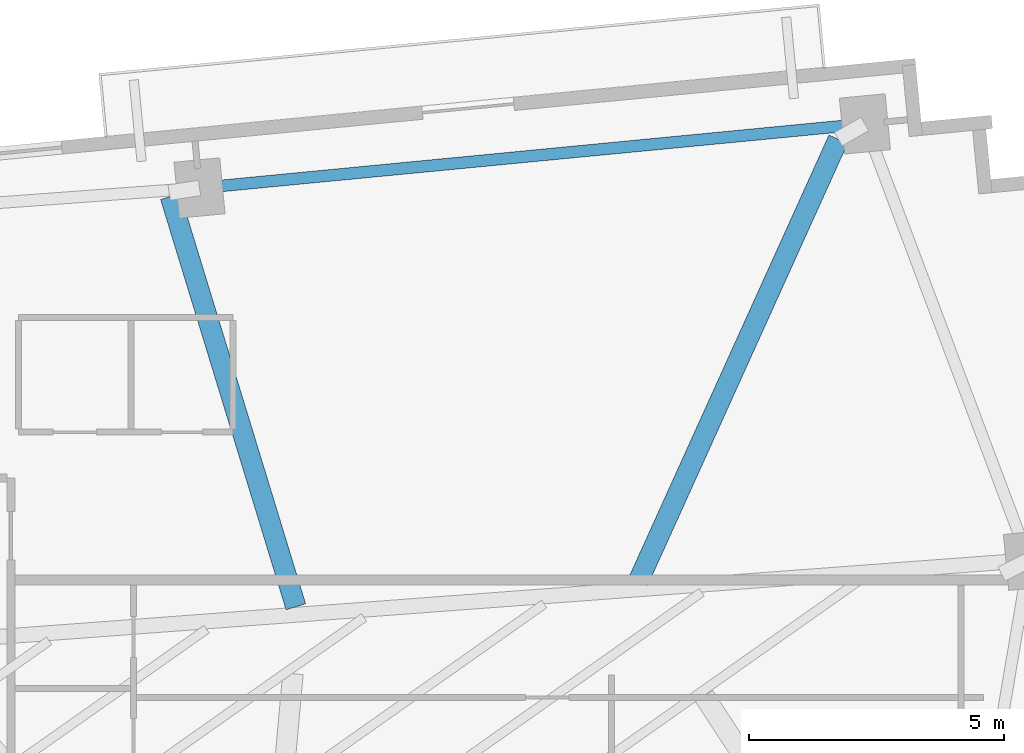
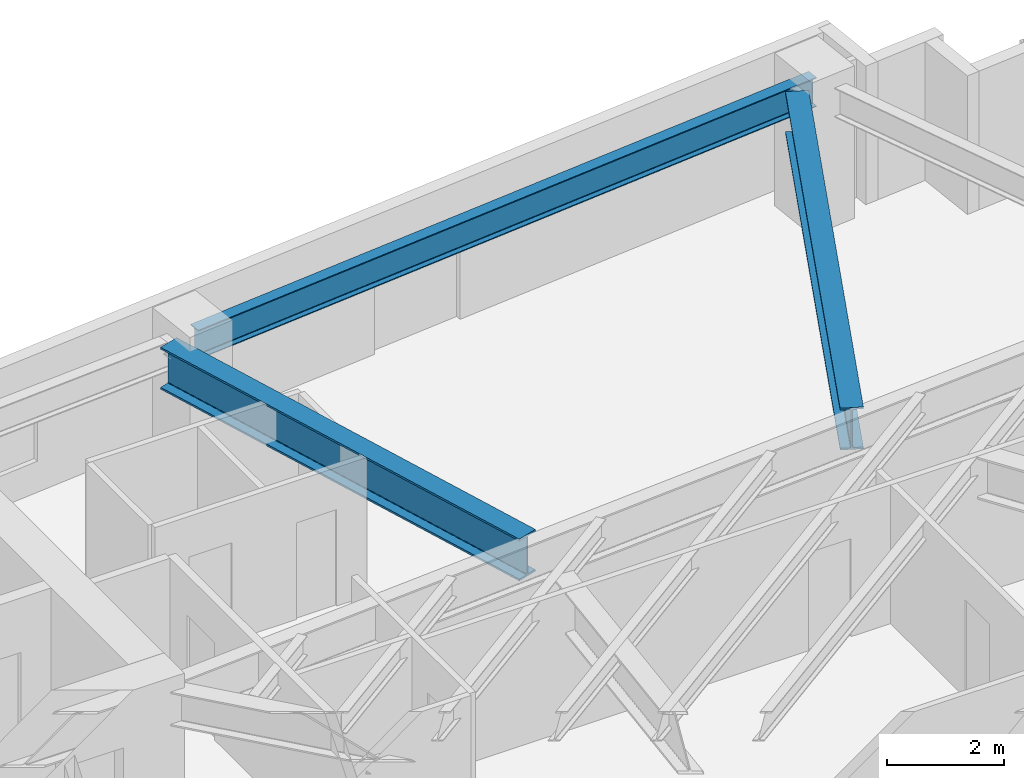
# One storey, part 18 of 27: 3 beams.
"""IFC4 building model written with IfcOpenShell, lengths in metres."""

from ifc_helpers import new_model, si_unit, direction, frame, origin, origin_2d, place, context, subcontext, project, spatial, i_section, extrude, source, transform, mapped, material, material_profile, profile_set, type_object, type_shapes, element, save


model = new_model("IFC4")

# Units and contexts
model_context = context("Model", 3, precision=1e-05, world=origin(), true_north=direction((0.0, 1.0)))
body_context = subcontext(model_context, "Body", "Model", "MODEL_VIEW")
ifc_project = project(units=[si_unit("LENGTHUNIT", "METRE"), si_unit("AREAUNIT", "SQUARE_METRE"), si_unit("VOLUMEUNIT", "CUBIC_METRE"), si_unit("PLANEANGLEUNIT", "RADIAN"), si_unit("MASSUNIT", "GRAM", prefix="KILO")], contexts=[model_context])

# Site, building, storey
site_placement = place(None, origin())
site = spatial("IfcSite", under=ifc_project, at=site_placement, CompositionType="ELEMENT")
building_placement = place(site_placement, origin())
building = spatial("IfcBuilding", under=site, at=building_placement, Name="Astriad Promenade Condominiums", CompositionType="ELEMENT")
storey_placement = place(building_placement, frame((0.0, 0.0, 116.199951171875)))
storey = spatial("IfcBuildingStorey", under=building, at=storey_placement, Name="L33", CompositionType="ELEMENT", Elevation=116.199951171875)

# Beams
ifc_material = material(Name="Steel ASTM A992 Grade 50", Category="steel")
ifc_material_profile_1 = material_profile(ifc_material, i_section(OverallWidth=0.22900390625, OverallDepth=0.612060546875, WebThickness=0.011962890625, FlangeThickness=0.01953125, FilletRadius=0.017822265625, at=origin_2d()), Name="W24X84")
ifc_profile_set_1 = profile_set([ifc_material_profile_1], Name="Steel ASTM A992 Grade 50")
beam_type_1 = type_object("IfcBeamType", Name="STEEL SPANDREL BEAM W24X84", PredefinedType="SPANDREL", material=ifc_profile_set_1)
shared_shape_1 = source(origin(), body_context, "Body", "SweptSolid", [
    extrude(i_section(OverallWidth=0.22900390625, OverallDepth=0.612060546875, WebThickness=0.011962890625, FlangeThickness=0.01953125, FilletRadius=0.017822265625, at=origin_2d()), origin(), (0.0, 0.0, 1.0), 13.020263671875),
])
type_shapes(beam_type_1, [shared_shape_1])
beam_1_placement = place(storey_placement, frame((64.394287109375, 27.5869140625, 2.593994140625), z_axis=(-0.995395311238, -0.095854965264, 0.0), x_axis=(0.095854965264, -0.995395311238, 0.0)))
element("IfcBeam", 1, at=beam_1_placement, inside=storey, type_object=beam_type_1, Name="Perimeter Spandrel Beam SP-N4-L33", PredefinedType="SPANDREL", context=body_context, shape_type="MappedRepresentation", body=[
    mapped(shared_shape_1, transform((0.0, 0.0, 0.0), scale=1.0)),
])
ifc_material_profile_2 = material_profile(ifc_material, i_section(OverallWidth=0.4013671875, OverallDepth=0.877197265625, WebThickness=0.022216796875, FlangeThickness=0.039794921875, FilletRadius=0.02294921875, at=origin_2d()), Name="W33X263")
ifc_profile_set_2 = profile_set([ifc_material_profile_2], Name="Steel ASTM A992 Grade 50")
beam_type_2 = type_object("IfcBeamType", Name="STEEL TRANSFER CARRIER GIRDER W33X263", PredefinedType="BEAM", material=ifc_profile_set_2)
shared_shape_2 = source(origin(), body_context, "Body", "SweptSolid", [
    extrude(i_section(OverallWidth=0.4013671875, OverallDepth=0.877197265625, WebThickness=0.022216796875, FlangeThickness=0.039794921875, FilletRadius=0.02294921875, at=origin_2d()), origin(), (0.0, 0.0, 1.0), 8.40869140625),
])
beam_2_placement = place(storey_placement, frame((53.2822265625, 18.12744140625, 2.46142578125), z_axis=(-0.292489973615, 0.956268589537, 0.0), x_axis=(-0.956268589537, -0.292489973615, 0.0)))
element("IfcBeam", 2, at=beam_2_placement, inside=storey, type_object=beam_type_2, Name="Transfer Splice Carrier TRM-SP-PC09-L33", PredefinedType="BEAM", context=body_context, shape_type="MappedRepresentation", body=[
    mapped(shared_shape_2, transform((0.0, 0.0, 0.0), scale=1.0)),
])
shared_shape_3 = source(origin(), body_context, "Body", "SweptSolid", [
    extrude(i_section(OverallWidth=0.4013671875, OverallDepth=0.877197265625, WebThickness=0.022216796875, FlangeThickness=0.039794921875, FilletRadius=0.02294921875, at=origin_2d()), origin(), (0.0, 0.0, 1.0), 9.510986328125),
])
type_shapes(beam_type_2, [shared_shape_2, shared_shape_3])
beam_3_placement = place(storey_placement, frame((59.9921875, 18.625244140625, 2.46142578125), z_axis=(0.412193236734, 0.91109644692, 0.0), x_axis=(-0.91109644692, 0.412193236734, 0.0)))
element("IfcBeam", 3, at=beam_3_placement, inside=storey, type_object=beam_type_2, Name="Transfer Splice Carrier TRM-SP-PC10-L33", PredefinedType="BEAM", context=body_context, shape_type="MappedRepresentation", body=[
    mapped(shared_shape_3, transform((0.0, 0.0, 0.0), scale=1.0)),
])

save(model, "model.ifc")
